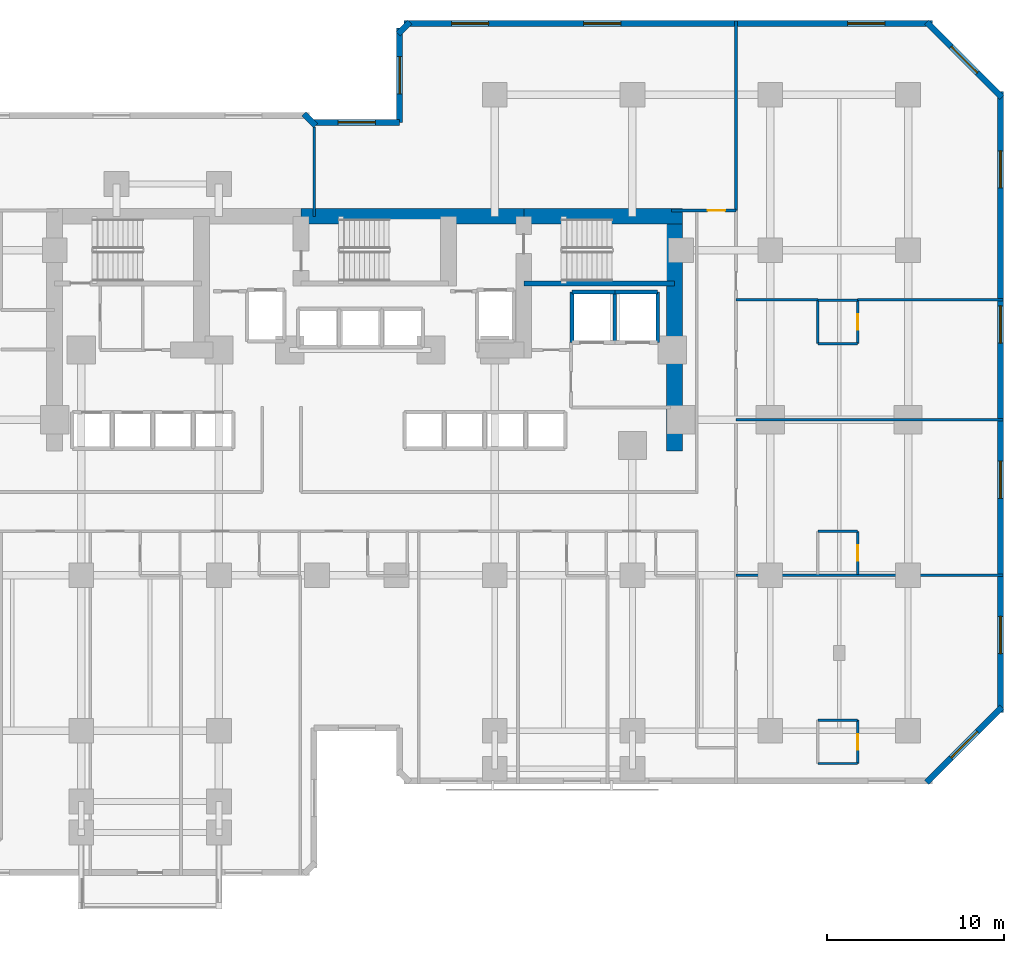
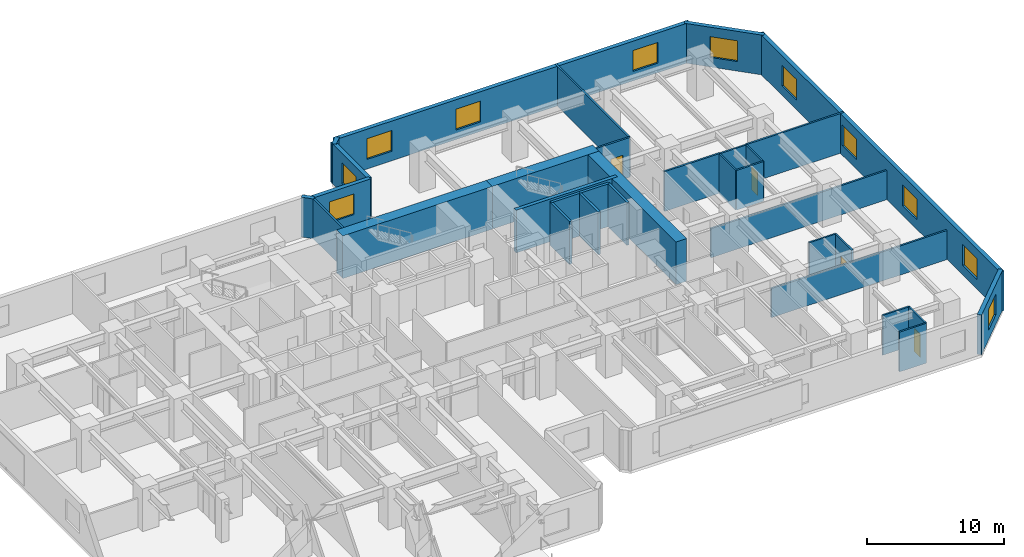
# One storey, part 9 of 12: 33 walls, 11 windows, 4 doors, 15 openings.
"""IFC4 building model written with IfcOpenShell, lengths in metres."""

from ifc_helpers import new_model, si_unit, direction, frame, frame_2d, origin, place, context, subcontext, project, spatial, rectangle, extrude, material, layer, layer_set, type_object, element, fill, save


model = new_model("IFC4")

# Units and contexts
model_context = context("Model", 3, precision=1e-05, world=origin(), true_north=direction((0.0, 1.0)))
body_context = subcontext(model_context, "Body", "Model", "MODEL_VIEW")
ifc_project = project(units=[si_unit("LENGTHUNIT", "METRE"), si_unit("AREAUNIT", "SQUARE_METRE"), si_unit("VOLUMEUNIT", "CUBIC_METRE"), si_unit("PLANEANGLEUNIT", "RADIAN"), si_unit("MASSUNIT", "GRAM", prefix="KILO")], contexts=[model_context])

# Site, building, storey
site_placement = place(None, origin())
site = spatial("IfcSite", under=ifc_project, at=site_placement, CompositionType="ELEMENT")
building_placement = place(site_placement, origin())
building = spatial("IfcBuilding", under=site, at=building_placement, Name="Kestravale Grand Hotel", CompositionType="ELEMENT")
storey_placement = place(building_placement, frame((0.0, 0.0, 33.60009765625)))
storey = spatial("IfcBuildingStorey", under=building, at=storey_placement, Name="L07", CompositionType="ELEMENT", Elevation=33.60009765625)

# Walls
ifc_material_1 = material(Name="Concrete f'c 70 MPa", Category="concrete")
ifc_layer_1 = layer(ifc_material_1, 0.89990234375)
ifc_layer_set_1 = layer_set([ifc_layer_1], Name="EW-CORE-900")
wall_type_1 = type_object("IfcWallType", Name="EW-CORE-900", PredefinedType="SHEAR", material=ifc_layer_set_1)
wall_1_placement = place(storey_placement, frame((35.85009765625, 40.320068359375, 0.0), z_axis=(0.0, 0.0, 1.0), x_axis=(1.0, 0.0, 0.0)))
element("IfcWall", 1, at=wall_1_placement, inside=storey, type_object=wall_type_1, Name="L07 core shear wall N2", PredefinedType="SHEAR", context=body_context, shape_type="SweptSolid", body=[
    extrude(rectangle(XDim=12.599853515625, YDim=0.89990234375, at=frame_2d((6.2998046875, 0.0))), origin(), (0.0, 0.0, 1.0), 3.7998046875),
])
wall_2_placement = place(storey_placement, frame((48.449951171875, 40.320068359375, 0.0), z_axis=(0.0, 0.0, 1.0), x_axis=(1.0, 0.0, 0.0)))
element("IfcWall", 2, at=wall_2_placement, inside=storey, type_object=wall_type_1, Name="L07 core shear wall N3", PredefinedType="SHEAR", context=body_context, shape_type="SweptSolid", body=[
    extrude(rectangle(XDim=8.969970703125, YDim=0.89990234375, at=frame_2d((4.48486328125, 0.0))), origin(), (0.0, 0.0, 1.0), 3.7998046875),
])
wall_3_placement = place(storey_placement, frame((56.969970703125, 27.050048828125, 0.0), z_axis=(0.0, 0.0, 1.0), x_axis=(0.0, 1.0, 0.0)))
element("IfcWall", 3, at=wall_3_placement, inside=storey, type_object=wall_type_1, Name="L07 core shear wall E1", PredefinedType="SHEAR", context=body_context, shape_type="SweptSolid", body=[
    extrude(rectangle(XDim=13.719970703125, YDim=0.89990234375, at=frame_2d((6.85986328125, 0.0))), origin(), (0.0, 0.0, 1.0), 3.7998046875),
])

# Wall, opening, window
ifc_material_2 = material(Name="Precast concrete f'c 45 MPa", Category="concrete")
ifc_layer_2 = layer(ifc_material_2, 0.340087890625)
ifc_layer_set_2 = layer_set([ifc_layer_2], Name="EW-PREC-340")
wall_type_2 = type_object("IfcWallType", Name="EW-PREC-340", PredefinedType="SOLIDWALL", material=ifc_layer_set_2)
wall_4_placement = place(storey_placement, frame((71.25146484375, 8.2919921875, 0.0), z_axis=(0.0, 0.0, 1.0), x_axis=(0.707106781187, 0.707106781187, 0.0)))
wall_4 = element("IfcWall", 4, at=wall_4_placement, inside=storey, type_object=wall_type_2, Name="L07 fluted precast facade wall 8", PredefinedType="SOLIDWALL", context=body_context, shape_type="SweptSolid", body=[
    extrude(rectangle(XDim=6.019775390625, YDim=0.340087890625, at=frame_2d((3.009765625, 0.0))), origin(), (0.0, 0.0, 1.0), 3.539794921875),
])
opening_1_placement = place(wall_4_placement, frame((1.9599609375, 0.0, 0.85009765625)))
opening_1 = element("IfcOpeningElement", 5, at=opening_1_placement, cuts=wall_4, Name="Opening W-GUEST-2100", PredefinedType="OPENING", context=body_context, shape_type="SweptSolid", body=[
    extrude(rectangle(XDim=2.10009765625, YDim=1.85009765625, at=frame_2d((1.050048828125, 0.925048828125))), frame((0.0, 0.179931640625, 0.0), z_axis=(0.0, -1.0, 0.0), x_axis=(1.0, 0.0, 0.0)), (0.0, 0.0, 1.0), 0.360107421875),
])
ifc_material_3 = material(Name="Insulated low-E double glazing in aluminium frame", Category="aluminium")
window_type = type_object("IfcWindowType", Name="W-GUEST-2100", PartitioningType="DOUBLE_PANEL_VERTICAL", PredefinedType="WINDOW", material=ifc_material_3)
window_1_placement = place(opening_1_placement, origin())
window_1 = element("IfcWindow", 6, at=window_1_placement, inside=storey, type_object=window_type, Name="L07 exterior window 8.1", OverallHeight=1.85009765625, OverallWidth=2.10009765625, PartitioningType="SINGLE_PANEL", PredefinedType="WINDOW", context=body_context, shape_type="SweptSolid", body=[
    extrude(rectangle(XDim=2.10009765625, YDim=1.85009765625, at=frame_2d((1.050048828125, 0.925048828125))), frame((0.0, 0.030029296875, 0.0), z_axis=(0.0, -1.0, 0.0), x_axis=(1.0, 0.0, 0.0)), (0.0, 0.0, 1.0), 0.06005859375),
])
fill(opening_1, window_1)

# Wall, openings, windows
wall_5_placement = place(storey_placement, frame((75.429931640625, 12.22998046875, 0.0), z_axis=(0.0, 0.0, 1.0), x_axis=(0.0, 1.0, 0.0)))
wall_5 = element("IfcWall", 7, at=wall_5_placement, inside=storey, type_object=wall_type_2, Name="L07 fluted precast facade wall 9", PredefinedType="SOLIDWALL", context=body_context, shape_type="SweptSolid", body=[
    extrude(rectangle(XDim=35.14013671875, YDim=0.340087890625, at=frame_2d((17.570068359375, 0.0))), origin(), (0.0, 0.0, 1.0), 3.539794921875),
])
opening_2_placement = place(wall_5_placement, frame((3.342529296875, 0.0, 0.85009765625)))
opening_2 = element("IfcOpeningElement", 8, at=opening_2_placement, cuts=wall_5, Name="Opening W-GUEST-2100", PredefinedType="OPENING", context=body_context, shape_type="SweptSolid", body=[
    extrude(rectangle(XDim=2.10009765625, YDim=1.85009765625, at=frame_2d((1.050048828125, 0.925048828125))), frame((0.0, 0.179931640625, 0.0), z_axis=(0.0, -1.0, 0.0), x_axis=(1.0, 0.0, 0.0)), (0.0, 0.0, 1.0), 0.360107421875),
])
opening_3_placement = place(wall_5_placement, frame((12.12744140625, 0.0, 0.85009765625)))
opening_3 = element("IfcOpeningElement", 9, at=opening_3_placement, cuts=wall_5, Name="Opening W-GUEST-2100", PredefinedType="OPENING", context=body_context, shape_type="SweptSolid", body=[
    extrude(rectangle(XDim=2.10009765625, YDim=1.85009765625, at=frame_2d((1.050048828125, 0.925048828125))), frame((0.0, 0.179931640625, 0.0), z_axis=(0.0, -1.0, 0.0), x_axis=(1.0, 0.0, 0.0)), (0.0, 0.0, 1.0), 0.360107421875),
])
opening_4_placement = place(wall_5_placement, frame((20.91259765625, 0.0, 0.85009765625)))
opening_4 = element("IfcOpeningElement", 10, at=opening_4_placement, cuts=wall_5, Name="Opening W-GUEST-2100", PredefinedType="OPENING", context=body_context, shape_type="SweptSolid", body=[
    extrude(rectangle(XDim=2.10009765625, YDim=1.85009765625, at=frame_2d((1.050048828125, 0.925048828125))), frame((0.0, 0.179931640625, 0.0), z_axis=(0.0, -1.0, 0.0), x_axis=(1.0, 0.0, 0.0)), (0.0, 0.0, 1.0), 0.360107421875),
])
opening_5_placement = place(wall_5_placement, frame((29.697509765625, 0.0, 0.85009765625)))
opening_5 = element("IfcOpeningElement", 11, at=opening_5_placement, cuts=wall_5, Name="Opening W-GUEST-2100", PredefinedType="OPENING", context=body_context, shape_type="SweptSolid", body=[
    extrude(rectangle(XDim=2.10009765625, YDim=1.85009765625, at=frame_2d((1.050048828125, 0.925048828125))), frame((0.0, 0.179931640625, 0.0), z_axis=(0.0, -1.0, 0.0), x_axis=(1.0, 0.0, 0.0)), (0.0, 0.0, 1.0), 0.360107421875),
])
window_2_placement = place(opening_2_placement, origin())
window_2 = element("IfcWindow", 12, at=window_2_placement, inside=storey, type_object=window_type, Name="L07 exterior window 9.1", OverallHeight=1.85009765625, OverallWidth=2.10009765625, PartitioningType="SINGLE_PANEL", PredefinedType="WINDOW", context=body_context, shape_type="SweptSolid", body=[
    extrude(rectangle(XDim=2.10009765625, YDim=1.85009765625, at=frame_2d((1.050048828125, 0.925048828125))), frame((0.0, 0.030029296875, 0.0), z_axis=(0.0, -1.0, 0.0), x_axis=(1.0, 0.0, 0.0)), (0.0, 0.0, 1.0), 0.06005859375),
])
fill(opening_2, window_2)
window_3_placement = place(opening_3_placement, origin())
window_3 = element("IfcWindow", 13, at=window_3_placement, inside=storey, type_object=window_type, Name="L07 exterior window 9.2", OverallHeight=1.85009765625, OverallWidth=2.10009765625, PartitioningType="SINGLE_PANEL", PredefinedType="WINDOW", context=body_context, shape_type="SweptSolid", body=[
    extrude(rectangle(XDim=2.10009765625, YDim=1.85009765625, at=frame_2d((1.050048828125, 0.925048828125))), frame((0.0, 0.030029296875, 0.0), z_axis=(0.0, -1.0, 0.0), x_axis=(1.0, 0.0, 0.0)), (0.0, 0.0, 1.0), 0.06005859375),
])
fill(opening_3, window_3)
window_4_placement = place(opening_4_placement, origin())
window_4 = element("IfcWindow", 14, at=window_4_placement, inside=storey, type_object=window_type, Name="L07 exterior window 9.3", OverallHeight=1.85009765625, OverallWidth=2.10009765625, PartitioningType="SINGLE_PANEL", PredefinedType="WINDOW", context=body_context, shape_type="SweptSolid", body=[
    extrude(rectangle(XDim=2.10009765625, YDim=1.85009765625, at=frame_2d((1.050048828125, 0.925048828125))), frame((0.0, 0.030029296875, 0.0), z_axis=(0.0, -1.0, 0.0), x_axis=(1.0, 0.0, 0.0)), (0.0, 0.0, 1.0), 0.06005859375),
])
fill(opening_4, window_4)
window_5_placement = place(opening_5_placement, origin())
window_5 = element("IfcWindow", 15, at=window_5_placement, inside=storey, type_object=window_type, Name="L07 exterior window 9.4", OverallHeight=1.85009765625, OverallWidth=2.10009765625, PartitioningType="SINGLE_PANEL", PredefinedType="WINDOW", context=body_context, shape_type="SweptSolid", body=[
    extrude(rectangle(XDim=2.10009765625, YDim=1.85009765625, at=frame_2d((1.050048828125, 0.925048828125))), frame((0.0, 0.030029296875, 0.0), z_axis=(0.0, -1.0, 0.0), x_axis=(1.0, 0.0, 0.0)), (0.0, 0.0, 1.0), 0.06005859375),
])
fill(opening_5, window_5)

# Wall, opening, window
wall_6_placement = place(storey_placement, frame((75.508056640625, 47.051513671875, 0.0), z_axis=(0.0, 0.0, 1.0), x_axis=(-0.707106781187, 0.707106781187, 0.0)))
wall_6 = element("IfcWall", 16, at=wall_6_placement, inside=storey, type_object=wall_type_2, Name="L07 fluted precast facade wall 10", PredefinedType="SOLIDWALL", context=body_context, shape_type="SweptSolid", body=[
    extrude(rectangle(XDim=6.019775390625, YDim=0.340087890625, at=frame_2d((3.009765625, 0.0))), origin(), (0.0, 0.0, 1.0), 3.539794921875),
])
opening_6_placement = place(wall_6_placement, frame((1.9599609375, 0.0, 0.85009765625)))
opening_6 = element("IfcOpeningElement", 17, at=opening_6_placement, cuts=wall_6, Name="Opening W-GUEST-2100", PredefinedType="OPENING", context=body_context, shape_type="SweptSolid", body=[
    extrude(rectangle(XDim=2.10009765625, YDim=1.85009765625, at=frame_2d((1.050048828125, 0.925048828125))), frame((0.0, 0.179931640625, 0.0), z_axis=(0.0, -1.0, 0.0), x_axis=(1.0, 0.0, 0.0)), (0.0, 0.0, 1.0), 0.360107421875),
])
window_6_placement = place(opening_6_placement, origin())
window_6 = element("IfcWindow", 18, at=window_6_placement, inside=storey, type_object=window_type, Name="L07 exterior window 10.1", OverallHeight=1.85009765625, OverallWidth=2.10009765625, PartitioningType="SINGLE_PANEL", PredefinedType="WINDOW", context=body_context, shape_type="SweptSolid", body=[
    extrude(rectangle(XDim=2.10009765625, YDim=1.85009765625, at=frame_2d((1.050048828125, 0.925048828125))), frame((0.0, 0.030029296875, 0.0), z_axis=(0.0, -1.0, 0.0), x_axis=(1.0, 0.0, 0.0)), (0.0, 0.0, 1.0), 0.06005859375),
])
fill(opening_6, window_6)

# Wall, openings, windows
wall_7_placement = place(storey_placement, frame((71.570068359375, 51.22998046875, 0.0), z_axis=(0.0, 0.0, 1.0), x_axis=(-1.0, 0.0, 0.0)))
wall_7 = element("IfcWall", 19, at=wall_7_placement, inside=storey, type_object=wall_type_2, Name="L07 fluted precast facade wall 11", PredefinedType="SOLIDWALL", context=body_context, shape_type="SweptSolid", body=[
    extrude(rectangle(XDim=29.89013671875, YDim=0.340087890625, at=frame_2d((14.945068359375, 0.0))), origin(), (0.0, 0.0, 1.0), 3.539794921875),
])
opening_7_placement = place(wall_7_placement, frame((2.686279296875, 0.0, 0.85009765625)))
opening_7 = element("IfcOpeningElement", 20, at=opening_7_placement, cuts=wall_7, Name="Opening W-GUEST-2100", PredefinedType="OPENING", context=body_context, shape_type="SweptSolid", body=[
    extrude(rectangle(XDim=2.10009765625, YDim=1.85009765625, at=frame_2d((1.050048828125, 0.925048828125))), frame((0.0, 0.179931640625, 0.0), z_axis=(0.0, -1.0, 0.0), x_axis=(1.0, 0.0, 0.0)), (0.0, 0.0, 1.0), 0.360107421875),
])
opening_8_placement = place(wall_7_placement, frame((17.631103515625, 0.0, 0.85009765625)))
opening_8 = element("IfcOpeningElement", 21, at=opening_8_placement, cuts=wall_7, Name="Opening W-GUEST-2100", PredefinedType="OPENING", context=body_context, shape_type="SweptSolid", body=[
    extrude(rectangle(XDim=2.10009765625, YDim=1.85009765625, at=frame_2d((1.050048828125, 0.925048828125))), frame((0.0, 0.179931640625, 0.0), z_axis=(0.0, -1.0, 0.0), x_axis=(1.0, 0.0, 0.0)), (0.0, 0.0, 1.0), 0.360107421875),
])
opening_9_placement = place(wall_7_placement, frame((25.103759765625, 0.0, 0.85009765625)))
opening_9 = element("IfcOpeningElement", 22, at=opening_9_placement, cuts=wall_7, Name="Opening W-GUEST-2100", PredefinedType="OPENING", context=body_context, shape_type="SweptSolid", body=[
    extrude(rectangle(XDim=2.10009765625, YDim=1.85009765625, at=frame_2d((1.050048828125, 0.925048828125))), frame((0.0, 0.179931640625, 0.0), z_axis=(0.0, -1.0, 0.0), x_axis=(1.0, 0.0, 0.0)), (0.0, 0.0, 1.0), 0.360107421875),
])
window_7_placement = place(opening_7_placement, origin())
window_7 = element("IfcWindow", 23, at=window_7_placement, inside=storey, type_object=window_type, Name="L07 exterior window 11.1", OverallHeight=1.85009765625, OverallWidth=2.10009765625, PartitioningType="SINGLE_PANEL", PredefinedType="WINDOW", context=body_context, shape_type="SweptSolid", body=[
    extrude(rectangle(XDim=2.10009765625, YDim=1.85009765625, at=frame_2d((1.050048828125, 0.925048828125))), frame((0.0, 0.030029296875, 0.0), z_axis=(0.0, -1.0, 0.0), x_axis=(1.0, 0.0, 0.0)), (0.0, 0.0, 1.0), 0.06005859375),
])
fill(opening_7, window_7)
window_8_placement = place(opening_8_placement, origin())
window_8 = element("IfcWindow", 24, at=window_8_placement, inside=storey, type_object=window_type, Name="L07 exterior window 11.2", OverallHeight=1.85009765625, OverallWidth=2.10009765625, PartitioningType="SINGLE_PANEL", PredefinedType="WINDOW", context=body_context, shape_type="SweptSolid", body=[
    extrude(rectangle(XDim=2.10009765625, YDim=1.85009765625, at=frame_2d((1.050048828125, 0.925048828125))), frame((0.0, 0.030029296875, 0.0), z_axis=(0.0, -1.0, 0.0), x_axis=(1.0, 0.0, 0.0)), (0.0, 0.0, 1.0), 0.06005859375),
])
fill(opening_8, window_8)
window_9_placement = place(opening_9_placement, origin())
window_9 = element("IfcWindow", 25, at=window_9_placement, inside=storey, type_object=window_type, Name="L07 exterior window 11.3", OverallHeight=1.85009765625, OverallWidth=2.10009765625, PartitioningType="SINGLE_PANEL", PredefinedType="WINDOW", context=body_context, shape_type="SweptSolid", body=[
    extrude(rectangle(XDim=2.10009765625, YDim=1.85009765625, at=frame_2d((1.050048828125, 0.925048828125))), frame((0.0, 0.030029296875, 0.0), z_axis=(0.0, -1.0, 0.0), x_axis=(1.0, 0.0, 0.0)), (0.0, 0.0, 1.0), 0.06005859375),
])
fill(opening_9, window_9)

# Wall
wall_8_placement = place(storey_placement, frame((41.99853515625, 51.30810546875, 0.0), z_axis=(0.0, 0.0, 1.0), x_axis=(-0.707238225886, -0.706975312048, 0.0)))
element("IfcWall", 26, at=wall_8_placement, inside=storey, type_object=wall_type_2, Name="L07 fluted precast facade wall 12", PredefinedType="SOLIDWALL", context=body_context, shape_type="SweptSolid", body=[
    extrude(rectangle(XDim=0.9287109375, YDim=0.340087890625, at=frame_2d((0.46435546875, 0.0))), origin(), (0.0, 0.0, 1.0), 3.539794921875),
])

# Wall, opening, window
wall_9_placement = place(storey_placement, frame((41.419921875, 50.969970703125, 0.0), z_axis=(0.0, 0.0, 1.0), x_axis=(0.0, -1.0, 0.0)))
wall_9 = element("IfcWall", 27, at=wall_9_placement, inside=storey, type_object=wall_type_2, Name="L07 fluted precast facade wall 13", PredefinedType="SOLIDWALL", context=body_context, shape_type="SweptSolid", body=[
    extrude(rectangle(XDim=5.340087890625, YDim=0.340087890625, at=frame_2d((2.669921875, 0.0))), origin(), (0.0, 0.0, 1.0), 3.539794921875),
])
opening_10_placement = place(wall_9_placement, frame((1.6201171875, 0.0, 0.85009765625)))
opening_10 = element("IfcOpeningElement", 28, at=opening_10_placement, cuts=wall_9, Name="Opening W-GUEST-2100", PredefinedType="OPENING", context=body_context, shape_type="SweptSolid", body=[
    extrude(rectangle(XDim=2.10009765625, YDim=1.85009765625, at=frame_2d((1.050048828125, 0.925048828125))), frame((0.0, 0.179931640625, 0.0), z_axis=(0.0, -1.0, 0.0), x_axis=(1.0, 0.0, 0.0)), (0.0, 0.0, 1.0), 0.360107421875),
])
window_10_placement = place(opening_10_placement, origin())
window_10 = element("IfcWindow", 29, at=window_10_placement, inside=storey, type_object=window_type, Name="L07 exterior window 13.1", OverallHeight=1.85009765625, OverallWidth=2.10009765625, PartitioningType="SINGLE_PANEL", PredefinedType="WINDOW", context=body_context, shape_type="SweptSolid", body=[
    extrude(rectangle(XDim=2.10009765625, YDim=1.85009765625, at=frame_2d((1.050048828125, 0.925048828125))), frame((0.0, 0.030029296875, 0.0), z_axis=(0.0, -1.0, 0.0), x_axis=(1.0, 0.0, 0.0)), (0.0, 0.0, 1.0), 0.06005859375),
])
fill(opening_10, window_10)

wall_10_placement = place(storey_placement, frame((41.419921875, 45.6298828125, 0.0), z_axis=(0.0, 0.0, 1.0), x_axis=(-1.0, 0.0, 0.0)))
wall_10 = element("IfcWall", 30, at=wall_10_placement, inside=storey, type_object=wall_type_2, Name="L07 fluted precast facade wall 14", PredefinedType="SOLIDWALL", context=body_context, shape_type="SweptSolid", body=[
    extrude(rectangle(XDim=4.83984375, YDim=0.340087890625, at=frame_2d((2.419921875, 0.0))), origin(), (0.0, 0.0, 1.0), 3.539794921875),
])
opening_11_placement = place(wall_10_placement, frame((1.3701171875, 0.0, 0.85009765625)))
opening_11 = element("IfcOpeningElement", 31, at=opening_11_placement, cuts=wall_10, Name="Opening W-GUEST-2100", PredefinedType="OPENING", context=body_context, shape_type="SweptSolid", body=[
    extrude(rectangle(XDim=2.10009765625, YDim=1.85009765625, at=frame_2d((1.050048828125, 0.925048828125))), frame((0.0, 0.179931640625, 0.0), z_axis=(0.0, -1.0, 0.0), x_axis=(1.0, 0.0, 0.0)), (0.0, 0.0, 1.0), 0.360107421875),
])
window_11_placement = place(opening_11_placement, origin())
window_11 = element("IfcWindow", 32, at=window_11_placement, inside=storey, type_object=window_type, Name="L07 exterior window 14.1", OverallHeight=1.85009765625, OverallWidth=2.10009765625, PartitioningType="SINGLE_PANEL", PredefinedType="WINDOW", context=body_context, shape_type="SweptSolid", body=[
    extrude(rectangle(XDim=2.10009765625, YDim=1.85009765625, at=frame_2d((1.050048828125, 0.925048828125))), frame((0.0, 0.030029296875, 0.0), z_axis=(0.0, -1.0, 0.0), x_axis=(1.0, 0.0, 0.0)), (0.0, 0.0, 1.0), 0.06005859375),
])
fill(opening_11, window_11)

# Walls
wall_11_placement = place(storey_placement, frame((36.658203125, 45.451416015625, 0.0), z_axis=(0.0, 0.0, 1.0), x_axis=(-0.707106781187, 0.707106781187, 0.0)))
element("IfcWall", 33, at=wall_11_placement, inside=storey, type_object=wall_type_2, Name="L07 fluted precast facade wall 16", PredefinedType="SOLIDWALL", context=body_context, shape_type="SweptSolid", body=[
    extrude(rectangle(XDim=0.9287109375, YDim=0.340087890625, at=frame_2d((0.46435546875, 0.0))), origin(), (0.0, 0.0, 1.0), 3.539794921875),
])
ifc_material_4 = material(Name="Concrete f'c 45 MPa", Category="concrete")
ifc_layer_3 = layer(ifc_material_4, 0.300048828125)
ifc_layer_set_3 = layer_set([ifc_layer_3], Name="EW-STAIR-300")
wall_type_3 = type_object("IfcWallType", Name="EW-STAIR-300", PredefinedType="SHEAR", material=ifc_layer_set_3)
wall_12_placement = place(storey_placement, frame((48.449951171875, 36.52001953125, 0.0), z_axis=(0.0, 0.0, 1.0), x_axis=(1.0, 0.0, 0.0)))
element("IfcWall", 34, at=wall_12_placement, inside=storey, type_object=wall_type_3, Name="L07 stair enclosure shear wall SST3", PredefinedType="SHEAR", context=body_context, shape_type="SweptSolid", body=[
    extrude(rectangle(XDim=8.52001953125, YDim=0.300048828125, at=frame_2d((4.260009765625, 0.0))), origin(), (0.0, 0.0, 1.0), 3.7998046875),
])

# Wall, opening, door
ifc_material_5 = material(Name="Moisture-resistant tile-backer plumbing chase wall", Category="other")
ifc_layer_4 = layer(ifc_material_5, 0.139892578125)
ifc_layer_set_4 = layer_set([ifc_layer_4], Name="IW-PLB-140")
wall_type_4 = type_object("IfcWallType", Name="IW-PLB-140", PredefinedType="PLUMBINGWALL", material=ifc_layer_set_4)
wall_13_placement = place(storey_placement, frame((67.35009765625, 9.35009765625, 0.0), z_axis=(0.0, 0.0, 1.0), x_axis=(0.0, 1.0, 0.0)))
wall_13 = element("IfcWall", 35, at=wall_13_placement, inside=storey, type_object=wall_type_4, Name="W-L07-U10-BE", PredefinedType="PLUMBINGWALL", context=body_context, shape_type="SweptSolid", body=[
    extrude(rectangle(XDim=2.449951171875, YDim=0.139892578125, at=frame_2d((1.22509765625, 0.0))), origin(), (0.0, 0.0, 1.0), 3.539794921875),
])
opening_12_placement = place(wall_13_placement, frame((0.784912109375, 0.0, 0.0)))
opening_12 = element("IfcOpeningElement", 36, at=opening_12_placement, cuts=wall_13, Name="Opening D-BATH-880", PredefinedType="OPENING", context=body_context, shape_type="SweptSolid", body=[
    extrude(rectangle(XDim=0.8798828125, YDim=2.050048828125, at=frame_2d((0.43994140625, 1.02490234375))), frame((0.0, 0.079833984375, 0.0), z_axis=(0.0, -1.0, 0.0), x_axis=(1.0, 0.0, 0.0)), (0.0, 0.0, 1.0), 0.159912109375),
])
ifc_material_6 = material(Name="Moisture-sealed walnut en-suite bathroom door", Category="wood")
door_type_1 = type_object("IfcDoorType", Name="D-BATH-880", OperationType="NOTDEFINED", PredefinedType="DOOR", material=ifc_material_6)
door_1_placement = place(opening_12_placement, origin())
door_1 = element("IfcDoor", 37, at=door_1_placement, inside=storey, type_object=door_type_1, Name="D-L07-U10-BATH", OperationType="SINGLE_SWING_RIGHT", OverallHeight=2.050048828125, OverallWidth=0.8798828125, PredefinedType="DOOR", context=body_context, shape_type="SweptSolid", body=[
    extrude(rectangle(XDim=0.8798828125, YDim=2.050048828125, at=frame_2d((0.43994140625, 1.02490234375))), frame((0.0, 0.02490234375, 0.0), z_axis=(0.0, -1.0, 0.0), x_axis=(1.0, 0.0, 0.0)), (0.0, 0.0, 1.0), 0.050048828125),
])
fill(opening_12, door_1)

# Walls
for number, where, z_axis, x_axis, name in (
    (38, (65.10009765625, 9.35009765625, 0.0), (0.0, 0.0, 1.0), (1.0, 0.0, 0.0), "W-L07-U10-BS"),
    (39, (65.10009765625, 11.800048828125, 0.0), (0.0, 0.0, 1.0), (1.0, 0.0, 0.0), "W-L07-U10-BN"),
):
    element("IfcWall", number, at=place(storey_placement, frame(where, z_axis=z_axis, x_axis=x_axis)), inside=storey, type_object=wall_type_4, Name=name, PredefinedType="PLUMBINGWALL", context=body_context, shape_type="SweptSolid", body=[
        extrude(rectangle(XDim=2.25, YDim=0.139892578125, at=frame_2d((1.125, 0.0))), origin(), (0.0, 0.0, 1.0), 3.539794921875),
    ])

# Wall, opening, door
wall_14_placement = place(storey_placement, frame((67.35009765625, 20.0400390625, 0.0), z_axis=(0.0, 0.0, 1.0), x_axis=(0.0, 1.0, 0.0)))
wall_14 = element("IfcWall", 40, at=wall_14_placement, inside=storey, type_object=wall_type_4, Name="W-L07-U11-BE", PredefinedType="PLUMBINGWALL", context=body_context, shape_type="SweptSolid", body=[
    extrude(rectangle(XDim=2.449951171875, YDim=0.139892578125, at=frame_2d((1.22509765625, 0.0))), origin(), (0.0, 0.0, 1.0), 3.539794921875),
])
opening_13_placement = place(wall_14_placement, frame((0.784912109375, 0.0, 0.0)))
opening_13 = element("IfcOpeningElement", 41, at=opening_13_placement, cuts=wall_14, Name="Opening D-BATH-880", PredefinedType="OPENING", context=body_context, shape_type="SweptSolid", body=[
    extrude(rectangle(XDim=0.8798828125, YDim=2.050048828125, at=frame_2d((0.43994140625, 1.02490234375))), frame((0.0, 0.079833984375, 0.0), z_axis=(0.0, -1.0, 0.0), x_axis=(1.0, 0.0, 0.0)), (0.0, 0.0, 1.0), 0.159912109375),
])
door_2_placement = place(opening_13_placement, origin())
door_2 = element("IfcDoor", 42, at=door_2_placement, inside=storey, type_object=door_type_1, Name="D-L07-U11-BATH", OperationType="SINGLE_SWING_RIGHT", OverallHeight=2.050048828125, OverallWidth=0.8798828125, PredefinedType="DOOR", context=body_context, shape_type="SweptSolid", body=[
    extrude(rectangle(XDim=0.8798828125, YDim=2.050048828125, at=frame_2d((0.43994140625, 1.02490234375))), frame((0.0, 0.02490234375, 0.0), z_axis=(0.0, -1.0, 0.0), x_axis=(1.0, 0.0, 0.0)), (0.0, 0.0, 1.0), 0.050048828125),
])
fill(opening_13, door_2)

# Walls
wall_15_placement = place(storey_placement, frame((65.10009765625, 22.489990234375, 0.0), z_axis=(0.0, 0.0, 1.0), x_axis=(1.0, 0.0, 0.0)))
element("IfcWall", 43, at=wall_15_placement, inside=storey, type_object=wall_type_4, Name="W-L07-U11-BN", PredefinedType="PLUMBINGWALL", context=body_context, shape_type="SweptSolid", body=[
    extrude(rectangle(XDim=2.25, YDim=0.139892578125, at=frame_2d((1.125, 0.0))), origin(), (0.0, 0.0, 1.0), 3.539794921875),
])
wall_16_placement = place(storey_placement, frame((65.10009765625, 33.110107421875, 0.0), z_axis=(0.0, 0.0, 1.0), x_axis=(0.0, 1.0, 0.0)))
element("IfcWall", 44, at=wall_16_placement, inside=storey, type_object=wall_type_4, Name="W-L07-U12-BW", PredefinedType="PLUMBINGWALL", context=body_context, shape_type="SweptSolid", body=[
    extrude(rectangle(XDim=2.449951171875, YDim=0.139892578125, at=frame_2d((1.22509765625, 0.0))), origin(), (0.0, 0.0, 1.0), 3.539794921875),
])

# Wall, opening, door
wall_17_placement = place(storey_placement, frame((67.35009765625, 33.110107421875, 0.0), z_axis=(0.0, 0.0, 1.0), x_axis=(0.0, 1.0, 0.0)))
wall_17 = element("IfcWall", 45, at=wall_17_placement, inside=storey, type_object=wall_type_4, Name="W-L07-U12-BE", PredefinedType="PLUMBINGWALL", context=body_context, shape_type="SweptSolid", body=[
    extrude(rectangle(XDim=2.449951171875, YDim=0.139892578125, at=frame_2d((1.22509765625, 0.0))), origin(), (0.0, 0.0, 1.0), 3.539794921875),
])
opening_14_placement = place(wall_17_placement, frame((0.784912109375, 0.0, 0.0)))
opening_14 = element("IfcOpeningElement", 46, at=opening_14_placement, cuts=wall_17, Name="Opening D-BATH-880", PredefinedType="OPENING", context=body_context, shape_type="SweptSolid", body=[
    extrude(rectangle(XDim=0.8798828125, YDim=2.050048828125, at=frame_2d((0.43994140625, 1.02490234375))), frame((0.0, 0.079833984375, 0.0), z_axis=(0.0, -1.0, 0.0), x_axis=(1.0, 0.0, 0.0)), (0.0, 0.0, 1.0), 0.159912109375),
])
door_3_placement = place(opening_14_placement, origin())
door_3 = element("IfcDoor", 47, at=door_3_placement, inside=storey, type_object=door_type_1, Name="D-L07-U12-BATH", OperationType="SINGLE_SWING_RIGHT", OverallHeight=2.050048828125, OverallWidth=0.8798828125, PredefinedType="DOOR", context=body_context, shape_type="SweptSolid", body=[
    extrude(rectangle(XDim=0.8798828125, YDim=2.050048828125, at=frame_2d((0.43994140625, 1.02490234375))), frame((0.0, 0.02490234375, 0.0), z_axis=(0.0, -1.0, 0.0), x_axis=(1.0, 0.0, 0.0)), (0.0, 0.0, 1.0), 0.050048828125),
])
fill(opening_14, door_3)

# Walls
for number, where, z_axis, x_axis, name in (
    (48, (65.10009765625, 33.110107421875, 0.0), (0.0, 0.0, 1.0), (1.0, 0.0, 0.0), "W-L07-U12-BS"),
    (49, (65.10009765625, 35.56005859375, 0.0), (0.0, 0.0, 1.0), (1.0, 0.0, 0.0), "W-L07-U12-BN"),
):
    element("IfcWall", number, at=place(storey_placement, frame(where, z_axis=z_axis, x_axis=x_axis)), inside=storey, type_object=wall_type_4, Name=name, PredefinedType="PLUMBINGWALL", context=body_context, shape_type="SweptSolid", body=[
        extrude(rectangle(XDim=2.25, YDim=0.139892578125, at=frame_2d((1.125, 0.0))), origin(), (0.0, 0.0, 1.0), 3.539794921875),
    ])
ifc_material_7 = material(Name="Concrete f'c 45 MPa", Category="concrete")
ifc_layer_5 = layer(ifc_material_7, 0.199951171875)
ifc_layer_set_5 = layer_set([ifc_layer_5], Name="IW-SHAFT-200")
wall_type_5 = type_object("IfcWallType", Name="IW-SHAFT-200", PredefinedType="SHEAR", material=ifc_layer_set_5)
for number, where, z_axis, x_axis, name in (
    (50, (51.179931640625, 33.169921875, 0.0), (0.0, 0.0, 1.0), (0.0, 1.0, 0.0), "L07 SL-1 west shaft wall"),
    (51, (53.60009765625, 33.169921875, 0.0), (0.0, 0.0, 1.0), (0.0, 1.0, 0.0), "L07 SL-2 west shaft wall"),
    (52, (56.02001953125, 33.169921875, 0.0), (0.0, 0.0, 1.0), (0.0, 1.0, 0.0), "L07 SL-2 east shaft wall"),
):
    element("IfcWall", number, at=place(storey_placement, frame(where, z_axis=z_axis, x_axis=x_axis)), inside=storey, type_object=wall_type_5, Name=name, PredefinedType="SHEAR", context=body_context, shape_type="SweptSolid", body=[
        extrude(rectangle(XDim=2.860107421875, YDim=0.199951171875, at=frame_2d((1.43017578125, 0.0))), origin(), (0.0, 0.0, 1.0), 3.7998046875),
    ])
ifc_material_8 = material(Name="Concrete f'c 45 MPa", Category="concrete")
ifc_layer_6 = layer(ifc_material_8, 0.219970703125)
ifc_layer_set_6 = layer_set([ifc_layer_6], Name="IW-SHAFT-220")
wall_type_6 = type_object("IfcWallType", Name="IW-SHAFT-220", PredefinedType="SHEAR", material=ifc_layer_set_6)
wall_18_placement = place(storey_placement, frame((51.179931640625, 36.030029296875, 0.0), z_axis=(0.0, 0.0, 1.0), x_axis=(1.0, 0.0, 0.0)))
element("IfcWall", 53, at=wall_18_placement, inside=storey, type_object=wall_type_6, Name="L07 SL-1 north shaft wall", PredefinedType="SHEAR", context=body_context, shape_type="SweptSolid", body=[
    extrude(rectangle(XDim=2.420166015625, YDim=0.219970703125, at=frame_2d((1.2099609375, 0.0))), origin(), (0.0, 0.0, 1.0), 3.7998046875),
])
wall_19_placement = place(storey_placement, frame((53.60009765625, 36.030029296875, 0.0), z_axis=(0.0, 0.0, 1.0), x_axis=(1.0, 0.0, 0.0)))
element("IfcWall", 54, at=wall_19_placement, inside=storey, type_object=wall_type_6, Name="L07 SL-2 north shaft wall", PredefinedType="SHEAR", context=body_context, shape_type="SweptSolid", body=[
    extrude(rectangle(XDim=2.419921875, YDim=0.219970703125, at=frame_2d((1.2099609375, 0.0))), origin(), (0.0, 0.0, 1.0), 3.7998046875),
])

# Wall, opening, door
ifc_material_9 = material(Name="Double-stud STC 52 acoustic demising partition", Category="other")
ifc_layer_7 = layer(ifc_material_9, 0.14990234375)
ifc_layer_set_7 = layer_set([ifc_layer_7], Name="IW-UNIT-150")
wall_type_7 = type_object("IfcWallType", Name="IW-UNIT-150", PredefinedType="PARTITIONING", material=ifc_layer_set_7)
wall_20_placement = place(storey_placement, frame((56.800048828125, 40.64990234375, 0.0), z_axis=(0.0, 0.0, 1.0), x_axis=(1.0, 0.0, 0.0)))
wall_20 = element("IfcWall", 55, at=wall_20_placement, inside=storey, type_object=wall_type_7, Name="W-L07-SE-N", PredefinedType="PARTITIONING", context=body_context, shape_type="SweptSolid", body=[
    extrude(rectangle(XDim=3.659912109375, YDim=0.14990234375, at=frame_2d((1.830078125, 0.0))), origin(), (0.0, 0.0, 1.0), 3.539794921875),
])
opening_15_placement = place(wall_20_placement, frame((2.050048828125, 0.0, 0.0)))
opening_15 = element("IfcOpeningElement", 56, at=opening_15_placement, cuts=wall_20, Name="Opening D-GUEST-1000", PredefinedType="OPENING", context=body_context, shape_type="SweptSolid", body=[
    extrude(rectangle(XDim=1.0, YDim=2.14990234375, at=frame_2d((0.5, 1.074951171875))), frame((0.0, 0.0849609375, 0.0), z_axis=(0.0, -1.0, 0.0), x_axis=(1.0, 0.0, 0.0)), (0.0, 0.0, 1.0), 0.169921875),
])
ifc_material_10 = material(Name="Accessible walnut veneer hotel entrance fire door", Category="wood")
door_type_2 = type_object("IfcDoorType", Name="D-GUEST-1000", OperationType="NOTDEFINED", PredefinedType="DOOR", material=ifc_material_10)
door_4_placement = place(opening_15_placement, origin())
door_4 = element("IfcDoor", 57, at=door_4_placement, inside=storey, type_object=door_type_2, Name="L07 NE Gallery Door", OperationType="SINGLE_SWING_LEFT", OverallHeight=2.14990234375, OverallWidth=1.0, PredefinedType="DOOR", context=body_context, shape_type="SweptSolid", body=[
    extrude(rectangle(XDim=1.0, YDim=2.14990234375, at=frame_2d((0.5, 1.074951171875))), frame((0.0, 0.02490234375, 0.0), z_axis=(0.0, -1.0, 0.0), x_axis=(1.0, 0.0, 0.0)), (0.0, 0.0, 1.0), 0.050048828125),
])
fill(opening_15, door_4)

# Walls
wall_21_placement = place(storey_placement, frame((36.60009765625, 40.320068359375, 0.0), z_axis=(0.0, 0.0, 1.0), x_axis=(0.0, 1.0, 0.0)))
element("IfcWall", 58, at=wall_21_placement, inside=storey, type_object=wall_type_7, Name="W-L07-NGM", PredefinedType="PARTITIONING", context=body_context, shape_type="SweptSolid", body=[
    extrude(rectangle(XDim=5.044921875, YDim=0.14990234375, at=frame_2d((2.5224609375, 0.0))), origin(), (0.0, 0.0, 1.0), 3.539794921875),
])
wall_22_placement = place(storey_placement, frame((60.4599609375, 40.64990234375, 0.0), z_axis=(0.0, 0.0, 1.0), x_axis=(0.0, 1.0, 0.0)))
element("IfcWall", 59, at=wall_22_placement, inside=storey, type_object=wall_type_7, Name="W-L07-NGE-E", PredefinedType="PARTITIONING", context=body_context, shape_type="SweptSolid", body=[
    extrude(rectangle(XDim=10.72998046875, YDim=0.14990234375, at=frame_2d((5.364990234375, 0.0))), origin(), (0.0, 0.0, 1.0), 3.539794921875),
])
for number, where, z_axis, x_axis, name in (
    (60, (60.4599609375, 20.0, 0.0), (0.0, 0.0, 1.0), (1.0, 0.0, 0.0), "W-L07-EW-1"),
    (61, (60.4599609375, 28.800048828125, 0.0), (0.0, 0.0, 1.0), (1.0, 0.0, 0.0), "W-L07-EW-2"),
):
    element("IfcWall", number, at=place(storey_placement, frame(where, z_axis=z_axis, x_axis=x_axis)), inside=storey, type_object=wall_type_7, Name=name, PredefinedType="PARTITIONING", context=body_context, shape_type="SweptSolid", body=[
        extrude(rectangle(XDim=15.1201171875, YDim=0.14990234375, at=frame_2d((7.56005859375, 0.0))), origin(), (0.0, 0.0, 1.0), 2.593017578125),
    ])
wall_23_placement = place(storey_placement, frame((60.4599609375, 35.60009765625, 0.0), z_axis=(0.0, 0.0, 1.0), x_axis=(1.0, 0.0, 0.0)))
element("IfcWall", 62, at=wall_23_placement, inside=storey, type_object=wall_type_7, Name="W-L07-EW-3", PredefinedType="PARTITIONING", context=body_context, shape_type="SweptSolid", body=[
    extrude(rectangle(XDim=4.64013671875, YDim=0.14990234375, at=frame_2d((2.320068359375, 0.0))), origin(), (0.0, 0.0, 1.0), 3.539794921875),
])
wall_24_placement = place(storey_placement, frame((67.35009765625, 35.60009765625, 0.0), z_axis=(0.0, 0.0, 1.0), x_axis=(1.0, 0.0, 0.0)))
element("IfcWall", 63, at=wall_24_placement, inside=storey, type_object=wall_type_7, Name="W-L07-EW-3", PredefinedType="PARTITIONING", context=body_context, shape_type="SweptSolid", body=[
    extrude(rectangle(XDim=8.22998046875, YDim=0.14990234375, at=frame_2d((4.114990234375, 0.0))), origin(), (0.0, 0.0, 1.0), 3.539794921875),
])

save(model, "model.ifc")
